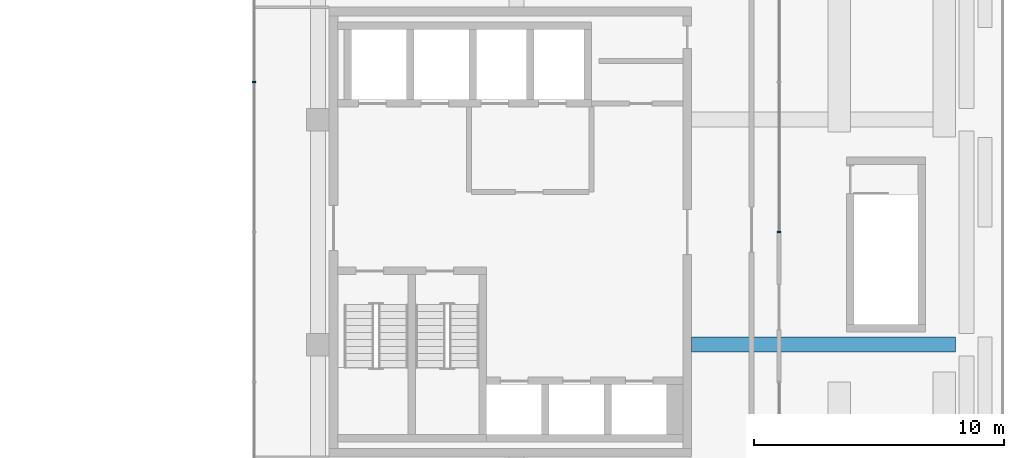
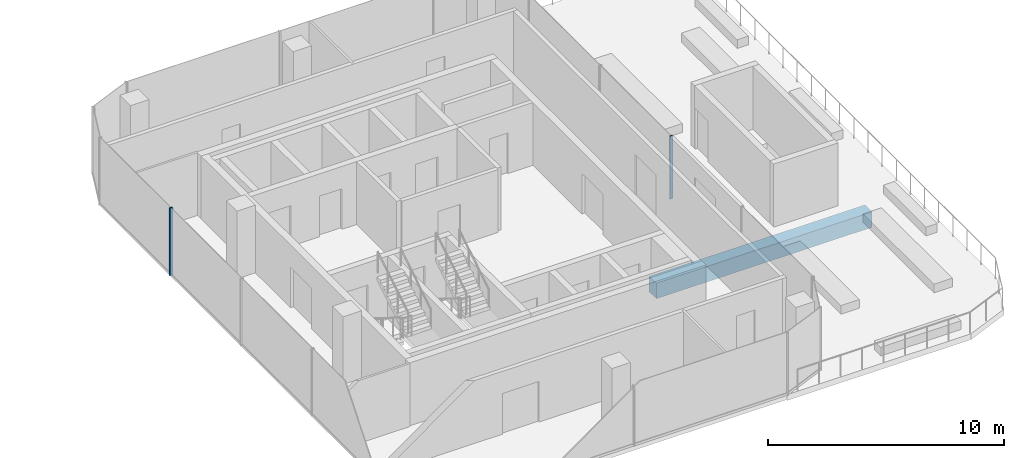
# One storey, part 8 of 22: 2 members, 1 beam, 2 elements without a shape of their own.
"""IFC4 building model written with IfcOpenShell, lengths in metres."""

import ifcopenshell
import ifcopenshell.guid

model = None  # the IFC model being written
_history = None  # IfcOwnerHistory: only IFC2X3 demands one
_inside = {}  # id of a spatial element -> (the spatial element, [elements in it])
_under = {}  # id of a project, library or spatial element -> (it, [spatial elements below it])
_declared = {}  # id of a project -> (the project, [libraries it declares])
_typed = {}  # id of a type object -> (the type object, [elements of that type])
_made_of = {}  # id of a material, layer set ... -> (it, [elements and type objects made of it])


def new_model(schema):
    """Start an empty IFC model of exactly this schema.

    Asked for "IFC4X3", IfcOpenShell would pick the latest addendum, in which some entities
    have other attributes; the version numbers below select the first issue.
    IFC2X3 requires an IfcOwnerHistory on every rooted entity: one is made here for all.
    """
    global model, _history
    if schema == "IFC4X3":
        model = ifcopenshell.file(schema_version=(4, 3, 0, 0))
    else:
        model = ifcopenshell.file(schema=schema)
    _inside.clear()
    _under.clear()
    _declared.clear()
    _typed.clear()
    _made_of.clear()
    _history = None
    if model.schema == "IFC2X3":
        org = make("IfcOrganization", Name="unknown")
        user = make(
            "IfcPersonAndOrganization",
            ThePerson=make("IfcPerson", FamilyName="unknown"),
            TheOrganization=org,
        )
        app = make(
            "IfcApplication",
            ApplicationDeveloper=org,
            Version="unknown",
            ApplicationFullName="unknown",
            ApplicationIdentifier="unknown",
        )
        _history = make(
            "IfcOwnerHistory",
            OwningUser=user,
            OwningApplication=app,
            ChangeAction="ADDED",
            CreationDate=0,
        )
    return model


def make(cls, **values):
    """One entity of the class cls with the attributes given. An attribute that is None is left unset."""
    return model.create_entity(
        cls, **{name: value for name, value in values.items() if value is not None}
    )


def rooted(cls, **values):
    """An entity with a GlobalId (a new one), such as an element, a storey or a relation."""
    return make(cls, GlobalId=ifcopenshell.guid.new(), OwnerHistory=_history, **values)


def si_unit(unit_type, name, prefix=None):
    """IfcSIUnit, for example si_unit("LENGTHUNIT", "METRE", prefix="MILLI")."""
    return make("IfcSIUnit", UnitType=unit_type, Prefix=prefix, Name=name)


def assignment(units):
    """IfcUnitAssignment: the units of a project."""
    return None if units is None else make("IfcUnitAssignment", Units=units)


def point(xyz):
    """IfcCartesianPoint."""
    return None if xyz is None else make("IfcCartesianPoint", Coordinates=xyz)


def direction(xyz):
    """IfcDirection."""
    return None if xyz is None else make("IfcDirection", DirectionRatios=xyz)


def frame(location, z_axis=None, x_axis=None):
    """IfcAxis2Placement3D, a coordinate frame: its origin and axes. An axis left out is left unset."""
    return make(
        "IfcAxis2Placement3D",
        Location=point(location),
        Axis=direction(z_axis),
        RefDirection=direction(x_axis),
    )


def frame_2d(location, x_axis=None):
    """IfcAxis2Placement2D, a coordinate frame in the plane: its origin and x axis."""
    return make(
        "IfcAxis2Placement2D", Location=point(location), RefDirection=direction(x_axis)
    )


def origin():
    """The frame at (0, 0, 0) with its axes left unset."""
    return frame((0.0, 0.0, 0.0))


def origin_2d():
    """The frame at (0, 0) in the plane with its x axis left unset."""
    return frame_2d((0.0, 0.0))


def place(relative_to, where):
    """IfcLocalPlacement: puts the frame where relative to a parent placement (None: the world)."""
    return make(
        "IfcLocalPlacement", PlacementRelTo=relative_to, RelativePlacement=where
    )


def context(
    kind, dimensions, precision=None, world=None, true_north=None, identifier=None
):
    """IfcGeometricRepresentationContext, for example the 3D "Model" context."""
    return make(
        "IfcGeometricRepresentationContext",
        ContextIdentifier=identifier,
        ContextType=kind,
        CoordinateSpaceDimension=dimensions,
        Precision=precision,
        WorldCoordinateSystem=world,
        TrueNorth=true_north,
    )


def subcontext(parent, identifier, kind, view, scale=None):
    """IfcGeometricRepresentationSubContext, for example "Body" below "Model"."""
    return make(
        "IfcGeometricRepresentationSubContext",
        ContextIdentifier=identifier,
        ContextType=kind,
        ParentContext=parent,
        TargetScale=scale,
        TargetView=view,
    )


def project(units=None, contexts=None):
    """IfcProject with its units and contexts."""
    return rooted(
        "IfcProject",
        Name="project",
        RepresentationContexts=contexts,
        UnitsInContext=assignment(units),
    )


def spatial(cls, under=None, at=None, **own):
    """A site, building, storey or space (cls), placed at a placement, below another one or the project."""
    s = rooted(cls, ObjectPlacement=at, **own)
    if under is not None:
        _under.setdefault(under.id(), (under, []))[1].append(s)
    return s


def profile(cls, at=None, kind="AREA", **sizes):
    """A parametric profile (cls). Its sizes go by their IFC names, for example OverallWidth=200.0."""
    return make(cls, ProfileType=kind, Position=at, **sizes)


def rectangle(**sizes):
    """IfcRectangleProfileDef."""
    return profile("IfcRectangleProfileDef", **sizes)


def extrude(swept, where, along, depth):
    """IfcExtrudedAreaSolid: the profile swept, set in the frame where, extruded along a direction by depth."""
    return make(
        "IfcExtrudedAreaSolid",
        SweptArea=swept,
        Position=where,
        ExtrudedDirection=direction(along),
        Depth=depth,
    )


def shape(context_of_items, identifier, shape_type, items):
    """IfcShapeRepresentation: the items that make up one representation, for example the "Body"."""
    return make(
        "IfcShapeRepresentation",
        ContextOfItems=context_of_items,
        RepresentationIdentifier=identifier,
        RepresentationType=shape_type,
        Items=items,
    )


def material(Name=None, Category=None):
    """IfcMaterial."""
    return make("IfcMaterial", Name=Name, Category=Category)


def layer(
    of_material, thickness, ventilated=None, Name=None, Category=None, Priority=None
):
    """IfcMaterialLayer: one layer of a wall or slab, of a material (None: an air gap)."""
    return make(
        "IfcMaterialLayer",
        Material=of_material,
        LayerThickness=thickness,
        IsVentilated=ventilated,
        Name=Name,
        Category=Category,
        Priority=Priority,
    )


def layer_set(layers, Name=None):
    """IfcMaterialLayerSet."""
    return make("IfcMaterialLayerSet", MaterialLayers=layers, LayerSetName=Name)


def material_profile(
    of_material, cross_section, Name=None, Category=None, Priority=None
):
    """IfcMaterialProfile: a cross section and its material."""
    return make(
        "IfcMaterialProfile",
        Name=Name,
        Material=of_material,
        Profile=cross_section,
        Priority=Priority,
        Category=Category,
    )


def profile_set(profiles, Name=None, composite=None):
    """IfcMaterialProfileSet."""
    return make(
        "IfcMaterialProfileSet",
        Name=Name,
        MaterialProfiles=profiles,
        CompositeProfile=composite,
    )


def made_of(thing, what):
    """Note that an element or type object is made of a material, layer set ...; save() writes the relation."""
    if what is not None:
        _made_of.setdefault(what.id(), (what, []))[1].append(thing)
    return thing


def type_object(cls, material=None, **own):
    """A type object (cls), such as IfcWallType, which elements share."""
    return made_of(rooted(cls, **own), material)


def element(
    cls,
    number,
    at=None,
    inside=None,
    cuts=None,
    type_object=None,
    material=None,
    context=None,
    identifier="Body",
    shape_type=None,
    held_by="IfcProductDefinitionShape",
    body=None,
    shapes=None,
    **own,
):
    """One element of the class cls, such as IfcWall. Its Tag is "e" and its number.

    at: its placement. inside: the storey or other place that contains it. cuts: it is an
    opening in that element (IfcRelVoidsElement). A single representation is given by context,
    identifier, shape_type and body (its items); several are given by shapes. held_by: the class
    of the entity that holds the representations. save() writes the other relations.
    """
    e = rooted(cls, Tag="e%d" % number, ObjectPlacement=at, **own)
    if body is not None:
        shapes = [shape(context, identifier, shape_type, body)]
    if shapes is not None:
        e.Representation = make(held_by, Representations=shapes)
    if inside is not None:
        _inside.setdefault(inside.id(), (inside, []))[1].append(e)
    if cuts is not None:
        rooted(
            "IfcRelVoidsElement", RelatingBuildingElement=cuts, RelatedOpeningElement=e
        )
    if type_object is not None:
        _typed.setdefault(type_object.id(), (type_object, []))[1].append(e)
    return made_of(e, material)


def aggregate(whole, parts):
    """IfcRelAggregates: a whole, such as a stair, and the parts it consists of."""
    return rooted("IfcRelAggregates", RelatingObject=whole, RelatedObjects=parts)


def save(model, path):
    """Write the relations noted so far, then the file.

    IfcRelAggregates (storeys below a building ...), IfcRelContainedInSpatialStructure (elements
    in a storey), IfcRelDefinesByType, IfcRelAssociatesMaterial and IfcRelDeclares: one each for
    every whole, place, type object, material and project.
    """
    for whole, parts in _under.values():
        aggregate(whole, parts)
    for where, things in _inside.values():
        rooted(
            "IfcRelContainedInSpatialStructure",
            RelatedElements=things,
            RelatingStructure=where,
        )
    for kind, things in _typed.values():
        rooted("IfcRelDefinesByType", RelatedObjects=things, RelatingType=kind)
    for what, things in _made_of.values():
        rooted("IfcRelAssociatesMaterial", RelatedObjects=things, RelatingMaterial=what)
    for by, libraries in _declared.values():
        rooted("IfcRelDeclares", RelatingContext=by, RelatedDefinitions=libraries)
    model.write(path)


model = new_model("IFC4")

# Units and contexts
model_context = context("Model", 3, precision=1e-05, world=origin(), true_north=direction((0.0, 1.0)))
body_context = subcontext(model_context, "Body", "Model", "MODEL_VIEW")
ifc_project = project(units=[si_unit("LENGTHUNIT", "METRE"), si_unit("AREAUNIT", "SQUARE_METRE"), si_unit("VOLUMEUNIT", "CUBIC_METRE"), si_unit("PLANEANGLEUNIT", "RADIAN"), si_unit("MASSUNIT", "GRAM", prefix="KILO")], contexts=[model_context])

# Site, building, storey
site_placement = place(None, origin())
site = spatial("IfcSite", under=ifc_project, at=site_placement, CompositionType="ELEMENT")
building_placement = place(site_placement, origin())
building = spatial("IfcBuilding", under=site, at=building_placement, Name="Plateau Cross Towers", CompositionType="ELEMENT")
storey_placement = place(building_placement, frame((0.0, 0.0, 116.800048828125)))
storey = spatial("IfcBuildingStorey", under=building, at=storey_placement, Name="L30", CompositionType="ELEMENT", Elevation=116.800048828125)

# Beam
ifc_material_1 = material(Name="Concrete C60/75", Category="concrete")
ifc_material_profile_1 = material_profile(ifc_material_1, rectangle(XDim=0.60009765625, YDim=0.800048828125, at=origin_2d()), Name="RC 600x800")
ifc_profile_set_1 = profile_set([ifc_material_profile_1], Name="Concrete C60/75")
beam_type = type_object("IfcBeamType", Name="Core beam RC 600x800", PredefinedType="BEAM", material=ifc_profile_set_1)
beam_placement = place(storey_placement, frame((89.5, 4.5, -0.650146484375), z_axis=(1.0, 0.0, 0.0), x_axis=(0.0, 1.0, 0.0)))
element("IfcBeam", 1, at=beam_placement, inside=storey, type_object=beam_type, Name="B-CB02@L30", PredefinedType="BEAM", context=body_context, shape_type="SweptSolid", body=[
    extrude(rectangle(XDim=0.60009765625, YDim=0.800048828125, at=origin_2d()), origin(), (0.0, 0.0, 1.0), 10.550048828125),
])

# Curtain wall, member
ifc_material_2 = material(Name="Dark low-iron glass", Category="glass")
ifc_layer = layer(ifc_material_2, 0.239990234375)
ifc_layer_set = layer_set([ifc_layer], Name="Dark low-iron glass")
curtain_wall_type = type_object("IfcCurtainWallType", Name="Curtain wall office unitised CW-F", PredefinedType="NOTDEFINED", material=ifc_layer_set)
curtain_wall_1_placement = place(storey_placement, origin())
curtain_wall_1 = element("IfcCurtainWall", 2, at=curtain_wall_1_placement, inside=storey, type_object=curtain_wall_type, Name="ENV/B/L30/B930_90", PredefinedType="NOTDEFINED")
ifc_material_3 = material(Name="Black anodised aluminium", Category="aluminium")
ifc_material_profile_2 = material_profile(ifc_material_3, rectangle(XDim=0.06005859375, YDim=0.139892578125, at=origin_2d()), Name="MULLION 60x140")
ifc_profile_set_2 = profile_set([ifc_material_profile_2], Name="Black anodised aluminium")
member_type = type_object("IfcMemberType", Name="Mullion 60x140 office unitised", PredefinedType="MULLION", material=ifc_profile_set_2)
member_1_placement = place(storey_placement, frame((93.0, 9.0, 0.0), z_axis=(0.0, 0.0, 1.0), x_axis=(0.0, 1.0, 0.0)))
member_1 = element("IfcMember", 3, at=member_1_placement, type_object=member_type, Name="CW-F mullion 1", PredefinedType="MULLION", context=body_context, shape_type="SweptSolid", body=[
    extrude(rectangle(XDim=0.06005859375, YDim=0.139892578125, at=origin_2d()), origin(), (0.0, 0.0, 1.0), 3.25),
])
aggregate(curtain_wall_1, [member_1])

curtain_wall_2_placement = place(storey_placement, origin())
curtain_wall_2 = element("IfcCurtainWall", 4, at=curtain_wall_2_placement, inside=storey, type_object=curtain_wall_type, Name="ENV/B/L30/B720_210", PredefinedType="NOTDEFINED")
member_2_placement = place(storey_placement, frame((72.0, 15.0, -0.25), z_axis=(0.0, 0.0, 1.0), x_axis=(0.0, -1.0, 0.0)))
member_2 = element("IfcMember", 5, at=member_2_placement, type_object=member_type, Name="CW-F mullion 2", PredefinedType="MULLION", context=body_context, shape_type="SweptSolid", body=[
    extrude(rectangle(XDim=0.06005859375, YDim=0.139892578125, at=origin_2d()), origin(), (0.0, 0.0, 1.0), 3.5),
])
aggregate(curtain_wall_2, [member_2])

save(model, "model.ifc")
